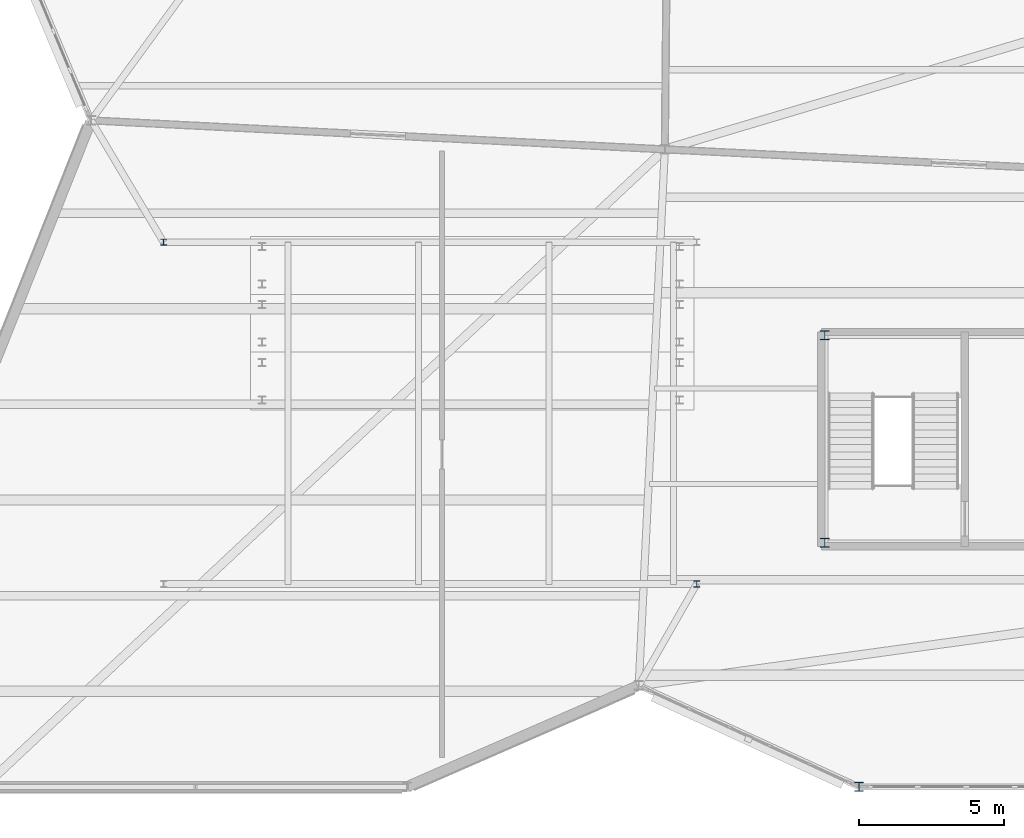
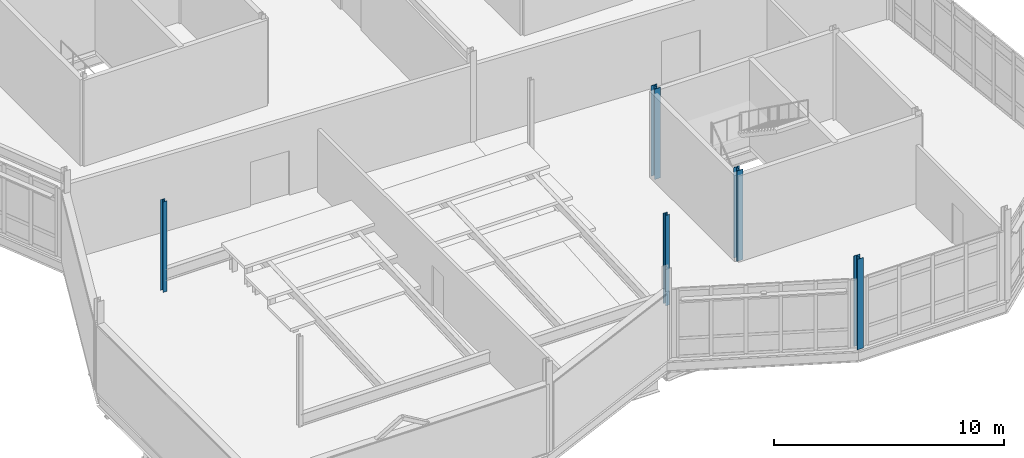
# One storey, part 2 of 134: 5 columns.
"""IFC4 building model written with IfcOpenShell, lengths in metres."""

from ifc_helpers import new_model, si_unit, direction, frame, origin, origin_2d, place, context, subcontext, project, spatial, i_section, extrude, material, material_profile, profile_set, type_object, element, save


model = new_model("IFC4")

# Units and contexts
model_context = context("Model", 3, precision=1e-05, world=origin(), true_north=direction((0.0, 1.0)))
body_context = subcontext(model_context, "Body", "Model", "MODEL_VIEW")
ifc_project = project(units=[si_unit("LENGTHUNIT", "METRE"), si_unit("AREAUNIT", "SQUARE_METRE"), si_unit("VOLUMEUNIT", "CUBIC_METRE"), si_unit("PLANEANGLEUNIT", "RADIAN"), si_unit("MASSUNIT", "GRAM", prefix="KILO")], contexts=[model_context])

# Site, building, storey
site_placement = place(None, origin())
site = spatial("IfcSite", under=ifc_project, at=site_placement, CompositionType="ELEMENT")
building_placement = place(site_placement, origin())
building = spatial("IfcBuilding", under=site, at=building_placement, Name="Tameran Prism Museum", CompositionType="ELEMENT")
storey_placement = place(building_placement, frame((0.0, 0.0, 5.39990234375)))
storey = spatial("IfcBuildingStorey", under=building, at=storey_placement, Name="L01", CompositionType="ELEMENT", Elevation=5.39990234375)

# Columns
ifc_material_1 = material(Name="Steel Grade 300PLUS (300 MPa)", Category="steel")
ifc_material_profile_1 = material_profile(ifc_material_1, i_section(OverallWidth=0.205078125, OverallDepth=0.2099609375, WebThickness=0.00927734375, FlangeThickness=0.01416015625, FilletRadius=0.01025390625, at=origin_2d()))
ifc_profile_set_1 = profile_set([ifc_material_profile_1])
column_type_1 = type_object("IfcColumnType", Name="COL-UC200", PredefinedType="COLUMN", material=ifc_profile_set_1)
for number, where, z_axis, x_axis, name in (
    (1, (24.60009765625, 7.0, 0.0), (0.0, 0.0, 1.0), (1.0, 0.0, 0.0), "Column CA-02 L01"),
    (2, (6.199951171875, 18.800048828125, 0.0), (0.0, 0.0, 1.0), (1.0, 0.0, 0.0), "Column CA-03 L01"),
):
    element("IfcColumn", number, at=place(storey_placement, frame(where, z_axis=z_axis, x_axis=x_axis)), inside=storey, type_object=column_type_1, Name=name, PredefinedType="COLUMN", context=body_context, shape_type="SweptSolid", body=[
        extrude(i_section(OverallWidth=0.205078125, OverallDepth=0.2099609375, WebThickness=0.00927734375, FlangeThickness=0.01416015625, FilletRadius=0.01025390625, at=origin_2d()), origin(), (0.0, 0.0, 1.0), 4.800048828125),
    ])
ifc_material_2 = material(Name="Steel Grade 300PLUS (300 MPa)", Category="steel")
ifc_material_profile_2 = material_profile(ifc_material_2, i_section(OverallWidth=0.306884765625, OverallDepth=0.31494140625, WebThickness=0.011962890625, FlangeThickness=0.018798828125, FilletRadius=0.0166015625, at=origin_2d()))
ifc_profile_set_2 = profile_set([ifc_material_profile_2])
column_type_2 = type_object("IfcColumnType", Name="COL-UC310C", PredefinedType="COLUMN", material=ifc_profile_set_2)
for number, where, z_axis, x_axis, name in (
    (3, (30.199951171875, 0.0, 0.0), (0.0, 0.0, 1.0), (1.0, 0.0, 0.0), "Column CV-18 L01"),
    (4, (29.02001953125, 8.419921875, 0.0), (0.0, 0.0, 1.0), (1.0, 0.0, 0.0), "Column CC-6-1 L01"),
    (5, (29.02001953125, 15.580078125, 0.0), (0.0, 0.0, 1.0), (1.0, 0.0, 0.0), "Column CC-6-4 L01"),
):
    element("IfcColumn", number, at=place(storey_placement, frame(where, z_axis=z_axis, x_axis=x_axis)), inside=storey, type_object=column_type_2, Name=name, PredefinedType="COLUMN", context=body_context, shape_type="SweptSolid", body=[
        extrude(i_section(OverallWidth=0.306884765625, OverallDepth=0.31494140625, WebThickness=0.011962890625, FlangeThickness=0.018798828125, FilletRadius=0.0166015625, at=origin_2d()), origin(), (0.0, 0.0, 1.0), 4.800048828125),
    ])

save(model, "model.ifc")
